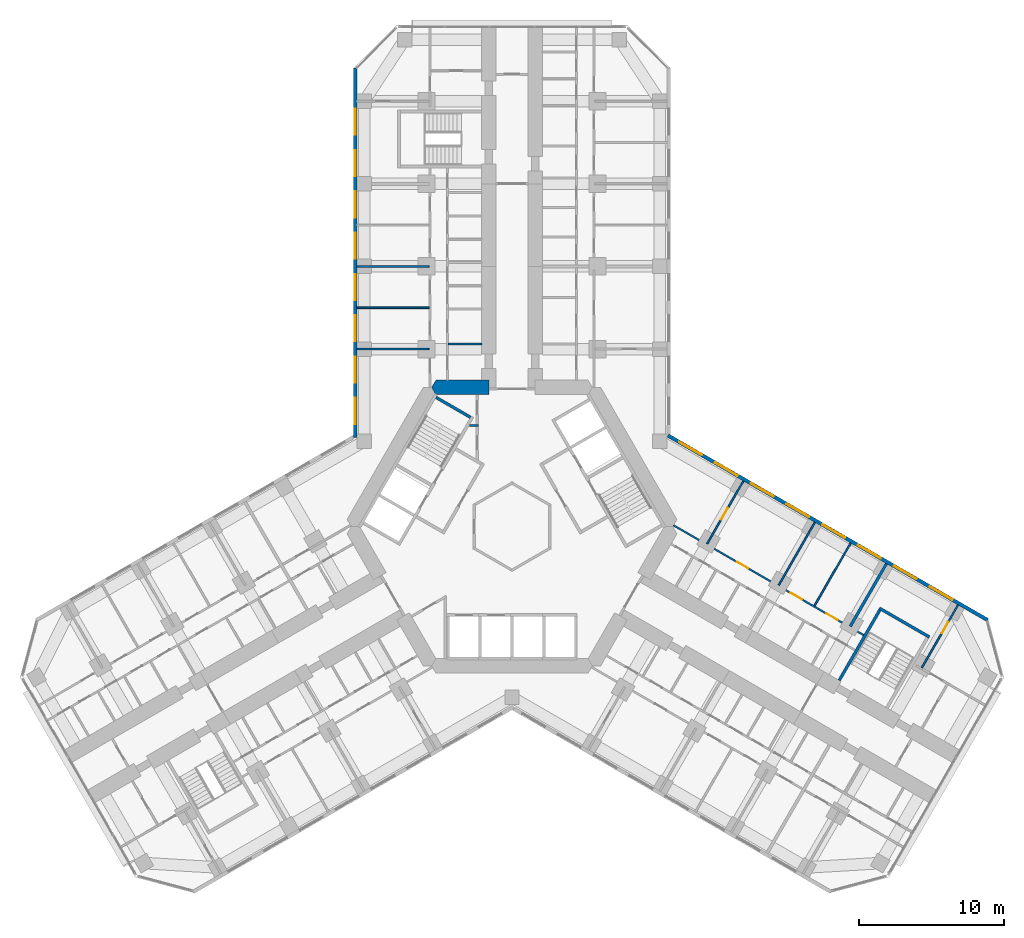
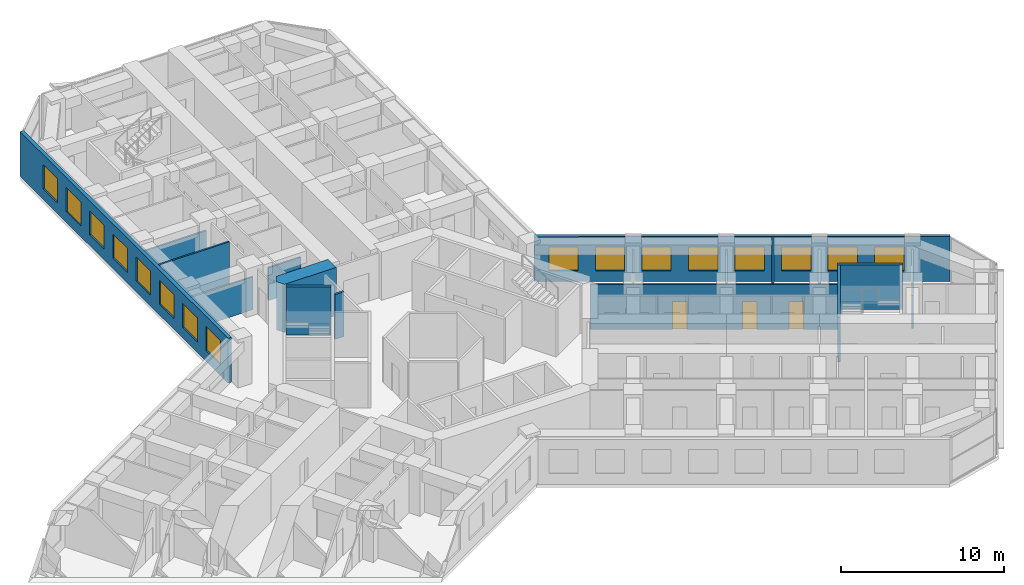
# One storey, part 16 of 21: 17 walls, 16 windows, 5 doors, 21 openings.
"""IFC4 building model written with IfcOpenShell, lengths in metres."""

from ifc_helpers import new_model, si_unit, direction, frame, frame_2d, origin, place, context, subcontext, project, spatial, polyline, rectangle, outline, extrude, material, layer, layer_set, type_object, element, fill, save


model = new_model("IFC4")

# Units and contexts
model_context = context("Model", 3, precision=1e-05, world=origin(), true_north=direction((0.0, 1.0)))
body_context = subcontext(model_context, "Body", "Model", "MODEL_VIEW")
ifc_project = project(units=[si_unit("LENGTHUNIT", "METRE"), si_unit("AREAUNIT", "SQUARE_METRE"), si_unit("VOLUMEUNIT", "CUBIC_METRE"), si_unit("PLANEANGLEUNIT", "RADIAN"), si_unit("MASSUNIT", "GRAM", prefix="KILO")], contexts=[model_context])

# Site, building, storey
site_placement = place(None, origin())
site = spatial("IfcSite", under=ifc_project, at=site_placement, CompositionType="ELEMENT")
building_placement = place(site_placement, origin())
building = spatial("IfcBuilding", under=site, at=building_placement, Name="Kosmar Iwan School Tower", CompositionType="ELEMENT")
storey_placement = place(building_placement, frame((0.0, 0.0, 46.60009765625)))
storey = spatial("IfcBuildingStorey", under=building, at=storey_placement, Name="L10", CompositionType="ELEMENT", Elevation=46.60009765625)

# Walls
ifc_material_1 = material(Name="Gypsum board on steel studs, fire-rated", Category="steel")
ifc_layer_1 = layer(ifc_material_1, 0.14990234375)
ifc_layer_set_1 = layer_set([ifc_layer_1], Name="Core room partition 150")
wall_type_1 = type_object("IfcWallType", Name="Core room partition 150", PredefinedType="PARTITIONING", material=ifc_layer_set_1)
wall_1_placement = place(storey_placement, frame((-2.324951171875, 6.985107421875, 0.0), z_axis=(0.0, 0.0, 1.0), x_axis=(-1.0, 0.0, 0.0)))
element("IfcWall", 1, at=wall_1_placement, inside=storey, type_object=wall_type_1, Name="Core room partition L10-CW2", PredefinedType="PARTITIONING", context=body_context, shape_type="SweptSolid", body=[
    extrude(rectangle(XDim=0.623779296875, YDim=0.14990234375, at=frame_2d((0.31201171875, 0.0))), origin(), (0.0, 0.0, 1.0), 3.349853515625),
])
ifc_material_2 = material(Name="Concrete C50/60", Category="concrete")
ifc_layer_2 = layer(ifc_material_2, 1.0)
ifc_layer_set_2 = layer_set([ifc_layer_2], Name="Core wall 1000")
wall_type_2 = type_object("IfcWallType", Name="Core wall 1000", PredefinedType="SHEAR", material=ifc_layer_set_2)
wall_2_placement = place(storey_placement, origin())
element("IfcWall", 2, at=wall_2_placement, inside=storey, type_object=wall_type_2, Name="Core wall F090b", PredefinedType="SHEAR", context=body_context, shape_type="SweptSolid", body=[
    extrude(outline(polyline([(-5.25390625, 9.10009765625), (-1.60009765625, 9.10009765625), (-1.60009765625, 10.10009765625), (-5.25390625, 10.10009765625), (-5.54248046875, 9.60009765625), (-5.25390625, 9.10009765625)])), origin(), (0.0, 0.0, 1.0), 3.599853515625),
])
ifc_material_3 = material(Name="Gypsum board on steel studs", Category="steel")
ifc_layer_3 = layer(ifc_material_3, 0.1201171875)
ifc_layer_set_3 = layer_set([ifc_layer_3], Name="Dwelling partition 120")
wall_type_3 = type_object("IfcWallType", Name="Dwelling partition 120", PredefinedType="PARTITIONING", material=ifc_layer_set_3)
wall_3_placement = place(storey_placement, frame((-5.7099609375, 12.25, 0.0), z_axis=(0.0, 0.0, 1.0), x_axis=(-1.0, 0.0, 0.0)))
element("IfcWall", 3, at=wall_3_placement, inside=storey, type_object=wall_type_3, Name="Partition L10-AL1-X1", PredefinedType="PARTITIONING", context=body_context, shape_type="SweptSolid", body=[
    extrude(rectangle(XDim=4.989990234375, YDim=0.1201171875, at=frame_2d((2.4951171875, 0.0))), origin(), (0.0, 0.0, 1.0), 2.449951171875),
])
wall_4_placement = place(storey_placement, frame((-5.7099609375, 15.10009765625, 0.0), z_axis=(0.0, 0.0, 1.0), x_axis=(-1.0, 0.0, 0.0)))
element("IfcWall", 4, at=wall_4_placement, inside=storey, type_object=wall_type_3, Name="Partition L10-AL1-X2", PredefinedType="PARTITIONING", context=body_context, shape_type="SweptSolid", body=[
    extrude(rectangle(XDim=4.989990234375, YDim=0.1201171875, at=frame_2d((2.4951171875, 0.0))), origin(), (0.0, 0.0, 1.0), 3.349853515625),
])
wall_5_placement = place(storey_placement, frame((-5.7099609375, 17.949951171875, 0.0), z_axis=(0.0, 0.0, 1.0), x_axis=(-1.0, 0.0, 0.0)))
element("IfcWall", 5, at=wall_5_placement, inside=storey, type_object=wall_type_3, Name="Partition L10-AL1-X3", PredefinedType="PARTITIONING", context=body_context, shape_type="SweptSolid", body=[
    extrude(rectangle(XDim=4.989990234375, YDim=0.1201171875, at=frame_2d((2.4951171875, 0.0))), origin(), (0.0, 0.0, 1.0), 2.449951171875),
])
wall_6_placement = place(storey_placement, frame((-2.10009765625, 12.60009765625, 0.0), z_axis=(0.0, 0.0, 1.0), x_axis=(-1.0, 0.0, 0.0)))
element("IfcWall", 6, at=wall_6_placement, inside=storey, type_object=wall_type_3, Name="Partition L10-AL1-Y1", PredefinedType="PARTITIONING", context=body_context, shape_type="SweptSolid", body=[
    extrude(rectangle(XDim=2.289794921875, YDim=0.1201171875, at=frame_2d((1.14501953125, 0.0))), origin(), (0.0, 0.0, 1.0), 2.449951171875),
])

# Wall, openings, doors
wall_7_placement = place(storey_placement, frame((11.138916015625, 0.093017578125, 0.0), z_axis=(0.0, 0.0, 1.0), x_axis=(0.866024032363, -0.500002375365, 0.0)))
wall_7 = element("IfcWall", 7, at=wall_7_placement, inside=storey, type_object=wall_type_3, Name="Partition L10-CL1-W2", PredefinedType="PARTITIONING", context=body_context, shape_type="SweptSolid", body=[
    extrude(rectangle(XDim=15.14990234375, YDim=0.1201171875, at=frame_2d((7.574951171875, 0.0))), origin(), (0.0, 0.0, 1.0), 3.349853515625),
])
opening_1_placement = place(wall_7_placement, frame((5.050048828125, 0.0, 0.0)))
opening_1 = element("IfcOpeningElement", 8, at=opening_1_placement, cuts=wall_7, Name="Opening D2", PredefinedType="OPENING", context=body_context, shape_type="SweptSolid", body=[
    extrude(rectangle(XDim=0.89990234375, YDim=2.10009765625, at=frame_2d((0.449951171875, 1.050048828125))), frame((0.0, 0.072021484375, 0.0), z_axis=(0.0, -1.0, 0.0), x_axis=(1.0, 0.0, 0.0)), (0.0, 0.0, 1.0), 0.14404296875),
])
opening_2_placement = place(wall_7_placement, frame((9.324951171875, 0.0, 0.0)))
opening_2 = element("IfcOpeningElement", 9, at=opening_2_placement, cuts=wall_7, Name="Opening D2", PredefinedType="OPENING", context=body_context, shape_type="SweptSolid", body=[
    extrude(rectangle(XDim=0.89990234375, YDim=2.10009765625, at=frame_2d((0.449951171875, 1.050048828125))), frame((0.0, 0.072021484375, 0.0), z_axis=(0.0, -1.0, 0.0), x_axis=(1.0, 0.0, 0.0)), (0.0, 0.0, 1.0), 0.14404296875),
])
opening_3_placement = place(wall_7_placement, frame((12.175048828125, 0.0, 0.0)))
opening_3 = element("IfcOpeningElement", 10, at=opening_3_placement, cuts=wall_7, Name="Opening D2", PredefinedType="OPENING", context=body_context, shape_type="SweptSolid", body=[
    extrude(rectangle(XDim=0.89990234375, YDim=2.10009765625, at=frame_2d((0.449951171875, 1.050048828125))), frame((0.0, 0.072021484375, 0.0), z_axis=(0.0, -1.0, 0.0), x_axis=(1.0, 0.0, 0.0)), (0.0, 0.0, 1.0), 0.14404296875),
])
ifc_material_4 = material(Name="Timber door in timber frame", Category="wood")
door_type = type_object("IfcDoorType", Name="Internal door 900x2100", OperationType="SINGLE_SWING_LEFT", PredefinedType="DOOR", material=ifc_material_4)
door_1_placement = place(opening_1_placement, origin())
door_1 = element("IfcDoor", 11, at=door_1_placement, inside=storey, type_object=door_type, Name="Living room door L10-CL1-F2", OperationType="SINGLE_SWING_LEFT", OverallHeight=2.10009765625, OverallWidth=0.89990234375, PredefinedType="DOOR", context=body_context, shape_type="SweptSolid", body=[
    extrude(rectangle(XDim=0.89990234375, YDim=2.10009765625, at=frame_2d((0.449951171875, 1.050048828125))), frame((0.0, 0.02490234375, 0.0), z_axis=(0.0, -1.0, 0.0), x_axis=(1.0, 0.0, 0.0)), (0.0, 0.0, 1.0), 0.050048828125),
])
fill(opening_1, door_1)
door_2_placement = place(opening_2_placement, origin())
door_2 = element("IfcDoor", 12, at=door_2_placement, inside=storey, type_object=door_type, Name="Bedroom 1 door L10-CL1-F3", OperationType="SINGLE_SWING_RIGHT", OverallHeight=2.10009765625, OverallWidth=0.89990234375, PredefinedType="DOOR", context=body_context, shape_type="SweptSolid", body=[
    extrude(rectangle(XDim=0.89990234375, YDim=2.10009765625, at=frame_2d((0.449951171875, 1.050048828125))), frame((0.0, 0.02490234375, 0.0), z_axis=(0.0, -1.0, 0.0), x_axis=(1.0, 0.0, 0.0)), (0.0, 0.0, 1.0), 0.050048828125),
])
fill(opening_2, door_2)
door_3_placement = place(opening_3_placement, origin())
door_3 = element("IfcDoor", 13, at=door_3_placement, inside=storey, type_object=door_type, Name="Study door L10-CL1-F4", OperationType="SINGLE_SWING_LEFT", OverallHeight=2.10009765625, OverallWidth=0.89990234375, PredefinedType="DOOR", context=body_context, shape_type="SweptSolid", body=[
    extrude(rectangle(XDim=0.89990234375, YDim=2.10009765625, at=frame_2d((0.449951171875, 1.050048828125))), frame((0.0, 0.02490234375, 0.0), z_axis=(0.0, -1.0, 0.0), x_axis=(1.0, 0.0, 0.0)), (0.0, 0.0, 1.0), 0.050048828125),
])
fill(opening_3, door_3)

# Wall, opening, door
wall_8_placement = place(storey_placement, frame((13.4638671875, -1.179931640625, 0.0), z_axis=(0.0, 0.0, 1.0), x_axis=(0.499996339024, 0.86602751744, 0.0)))
wall_8 = element("IfcWall", 14, at=wall_8_placement, inside=storey, type_object=wall_type_3, Name="Partition L10-CL1-X1", PredefinedType="PARTITIONING", context=body_context, shape_type="SweptSolid", body=[
    extrude(rectangle(XDim=4.98974609375, YDim=0.1201171875, at=frame_2d((2.494873046875, 0.0))), origin(), (0.0, 0.0, 1.0), 2.449951171875),
])
opening_4_placement = place(wall_8_placement, frame((1.93994140625, 0.0, 0.0)))
opening_4 = element("IfcOpeningElement", 15, at=opening_4_placement, cuts=wall_8, Name="Opening D2", PredefinedType="OPENING", context=body_context, shape_type="SweptSolid", body=[
    extrude(rectangle(XDim=0.89990234375, YDim=2.10009765625, at=frame_2d((0.449951171875, 1.050048828125))), frame((0.0, 0.072021484375, 0.0), z_axis=(0.0, -1.0, 0.0), x_axis=(1.0, 0.0, 0.0)), (0.0, 0.0, 1.0), 0.14404296875),
])
door_4_placement = place(opening_4_placement, origin())
door_4 = element("IfcDoor", 16, at=door_4_placement, inside=storey, type_object=door_type, Name="Kitchen and dining room door L10-CL1-F1", OperationType="SINGLE_SWING_LEFT", OverallHeight=2.10009765625, OverallWidth=0.89990234375, PredefinedType="DOOR", context=body_context, shape_type="SweptSolid", body=[
    extrude(rectangle(XDim=0.89990234375, YDim=2.10009765625, at=frame_2d((0.449951171875, 1.050048828125))), frame((0.0, 0.02490234375, 0.0), z_axis=(0.0, -1.0, 0.0), x_axis=(1.0, 0.0, 0.0)), (0.0, 0.0, 1.0), 0.050048828125),
])
fill(opening_4, door_4)

# Walls
wall_9_placement = place(storey_placement, frame((18.400146484375, -4.030029296875, 0.0), z_axis=(0.0, 0.0, 1.0), x_axis=(0.500011847778, 0.866018563358, 0.0)))
element("IfcWall", 17, at=wall_9_placement, inside=storey, type_object=wall_type_3, Name="Partition L10-CL1-X2", PredefinedType="PARTITIONING", context=body_context, shape_type="SweptSolid", body=[
    extrude(rectangle(XDim=4.990234375, YDim=0.1201171875, at=frame_2d((2.4951171875, 0.0))), origin(), (0.0, 0.0, 1.0), 2.449951171875),
])
wall_10_placement = place(storey_placement, frame((20.868408203125, -5.455078125, 0.0), z_axis=(0.0, 0.0, 1.0), x_axis=(0.499975153383, 0.86603974851, 0.0)))
element("IfcWall", 18, at=wall_10_placement, inside=storey, type_object=wall_type_3, Name="Partition L10-CL1-X3", PredefinedType="PARTITIONING", context=body_context, shape_type="SweptSolid", body=[
    extrude(rectangle(XDim=4.989990234375, YDim=0.1201171875, at=frame_2d((2.4951171875, 0.0))), origin(), (0.0, 0.0, 1.0), 3.349853515625),
])

# Wall, opening, door
wall_11_placement = place(storey_placement, frame((28.27294921875, -9.72998046875, 0.0), z_axis=(0.0, 0.0, 1.0), x_axis=(0.499975153383, 0.86603974851, 0.0)))
wall_11 = element("IfcWall", 19, at=wall_11_placement, inside=storey, type_object=wall_type_3, Name="Partition L10-CL2-TX", PredefinedType="PARTITIONING", context=body_context, shape_type="SweptSolid", body=[
    extrude(rectangle(XDim=4.989990234375, YDim=0.1201171875, at=frame_2d((2.4951171875, 0.0))), origin(), (0.0, 0.0, 1.0), 2.449951171875),
])
opening_5_placement = place(wall_11_placement, frame((2.739990234375, 0.0, 0.0)))
opening_5 = element("IfcOpeningElement", 20, at=opening_5_placement, cuts=wall_11, Name="Opening D2", PredefinedType="OPENING", context=body_context, shape_type="SweptSolid", body=[
    extrude(rectangle(XDim=0.89990234375, YDim=2.10009765625, at=frame_2d((0.449951171875, 1.050048828125))), frame((0.0, 0.072021484375, 0.0), z_axis=(0.0, -1.0, 0.0), x_axis=(1.0, 0.0, 0.0)), (0.0, 0.0, 1.0), 0.14404296875),
])
door_5_placement = place(opening_5_placement, origin())
door_5 = element("IfcDoor", 21, at=door_5_placement, inside=storey, type_object=door_type, Name="Bedroom 1 door L10-CL2-T1", OperationType="SINGLE_SWING_RIGHT", OverallHeight=2.10009765625, OverallWidth=0.89990234375, PredefinedType="DOOR", context=body_context, shape_type="SweptSolid", body=[
    extrude(rectangle(XDim=0.89990234375, YDim=2.10009765625, at=frame_2d((0.449951171875, 1.050048828125))), frame((0.0, 0.02490234375, 0.0), z_axis=(0.0, -1.0, 0.0), x_axis=(1.0, 0.0, 0.0)), (0.0, 0.0, 1.0), 0.050048828125),
])
fill(opening_5, door_5)

# Walls
ifc_material_5 = material(Name="Concrete C35/45", Category="concrete")
ifc_layer_4 = layer(ifc_material_5, 0.199951171875)
ifc_layer_set_4 = layer_set([ifc_layer_4], Name="Escape stair wall 200")
wall_type_4 = type_object("IfcWallType", Name="Escape stair wall 200", PredefinedType="SHEAR", material=ifc_layer_set_4)
wall_12_placement = place(storey_placement, frame((22.57080078125, -10.6064453125, 0.0), z_axis=(0.0, 0.0, 1.0), x_axis=(0.499987231761, 0.866032775405, 0.0)))
element("IfcWall", 22, at=wall_12_placement, inside=storey, type_object=wall_type_4, Name="Stair WS3 wall", PredefinedType="SHEAR", context=body_context, shape_type="SweptSolid", body=[
    extrude(rectangle(XDim=5.800048828125, YDim=0.199951171875, at=frame_2d((2.89990234375, 0.0))), origin(), (0.0, 0.0, 1.0), 3.329833984375),
])
wall_13_placement = place(storey_placement, frame((25.334228515625, -5.6201171875, 0.0), z_axis=(0.0, 0.0, 1.0), x_axis=(0.866026010844, -0.49999894854, 0.0)))
element("IfcWall", 23, at=wall_13_placement, inside=storey, type_object=wall_type_4, Name="Stair WS3 wall", PredefinedType="SHEAR", context=body_context, shape_type="SweptSolid", body=[
    extrude(rectangle(XDim=4.0, YDim=0.199951171875, at=frame_2d((2.0, 0.0))), origin(), (0.0, 0.0, 1.0), 3.329833984375),
])

# Wall, openings, windows
ifc_material_6 = material(Name="Black aluminium rainscreen on insulated framing", Category="aluminium")
ifc_layer_5 = layer(ifc_material_6, 0.25)
ifc_layer_set_5 = layer_set([ifc_layer_5], Name="External wall rainscreen 250")
wall_type_5 = type_object("IfcWallType", Name="External wall rainscreen 250", PredefinedType="SOLIDWALL", material=ifc_layer_set_5)
wall_14_placement = place(storey_placement, frame((10.762451171875, 6.285888671875, 0.0), z_axis=(0.0, 0.0, 1.0), x_axis=(0.866027962024, -0.499995568972, 0.0)))
wall_14 = element("IfcWall", 24, at=wall_14_placement, inside=storey, type_object=wall_type_5, Name="External wall CL L10", PredefinedType="SOLIDWALL", context=body_context, shape_type="SweptSolid", body=[
    extrude(rectangle(XDim=25.457763671875, YDim=0.25, at=frame_2d((12.72900390625, 0.0))), origin(), (0.0, 0.0, 1.0), 3.349853515625),
])
opening_6_placement = place(wall_14_placement, frame((0.8974609375, 0.0, 0.800048828125)))
opening_6 = element("IfcOpeningElement", 25, at=opening_6_placement, cuts=wall_14, Name="Opening W1", PredefinedType="OPENING", context=body_context, shape_type="SweptSolid", body=[
    extrude(rectangle(XDim=1.800048828125, YDim=1.800048828125, at=frame_2d((0.89990234375, 0.89990234375))), frame((0.0, 0.136962890625, 0.0), z_axis=(0.0, -1.0, 0.0), x_axis=(1.0, 0.0, 0.0)), (0.0, 0.0, 1.0), 0.27392578125),
])
opening_7_placement = place(wall_14_placement, frame((3.747314453125, 0.0, 0.800048828125)))
opening_7 = element("IfcOpeningElement", 26, at=opening_7_placement, cuts=wall_14, Name="Opening W1", PredefinedType="OPENING", context=body_context, shape_type="SweptSolid", body=[
    extrude(rectangle(XDim=1.800048828125, YDim=1.800048828125, at=frame_2d((0.89990234375, 0.89990234375))), frame((0.0, 0.136962890625, 0.0), z_axis=(0.0, -1.0, 0.0), x_axis=(1.0, 0.0, 0.0)), (0.0, 0.0, 1.0), 0.27392578125),
])
opening_8_placement = place(wall_14_placement, frame((6.597412109375, 0.0, 0.800048828125)))
opening_8 = element("IfcOpeningElement", 27, at=opening_8_placement, cuts=wall_14, Name="Opening W1", PredefinedType="OPENING", context=body_context, shape_type="SweptSolid", body=[
    extrude(rectangle(XDim=1.800048828125, YDim=1.800048828125, at=frame_2d((0.89990234375, 0.89990234375))), frame((0.0, 0.136962890625, 0.0), z_axis=(0.0, -1.0, 0.0), x_axis=(1.0, 0.0, 0.0)), (0.0, 0.0, 1.0), 0.27392578125),
])
opening_9_placement = place(wall_14_placement, frame((9.447265625, 0.0, 0.800048828125)))
opening_9 = element("IfcOpeningElement", 28, at=opening_9_placement, cuts=wall_14, Name="Opening W1", PredefinedType="OPENING", context=body_context, shape_type="SweptSolid", body=[
    extrude(rectangle(XDim=1.800048828125, YDim=1.800048828125, at=frame_2d((0.89990234375, 0.89990234375))), frame((0.0, 0.136962890625, 0.0), z_axis=(0.0, -1.0, 0.0), x_axis=(1.0, 0.0, 0.0)), (0.0, 0.0, 1.0), 0.27392578125),
])
opening_10_placement = place(wall_14_placement, frame((12.29736328125, 0.0, 0.800048828125)))
opening_10 = element("IfcOpeningElement", 29, at=opening_10_placement, cuts=wall_14, Name="Opening W1", PredefinedType="OPENING", context=body_context, shape_type="SweptSolid", body=[
    extrude(rectangle(XDim=1.800048828125, YDim=1.800048828125, at=frame_2d((0.89990234375, 0.89990234375))), frame((0.0, 0.136962890625, 0.0), z_axis=(0.0, -1.0, 0.0), x_axis=(1.0, 0.0, 0.0)), (0.0, 0.0, 1.0), 0.27392578125),
])
opening_11_placement = place(wall_14_placement, frame((15.1474609375, 0.0, 0.800048828125)))
opening_11 = element("IfcOpeningElement", 30, at=opening_11_placement, cuts=wall_14, Name="Opening W1", PredefinedType="OPENING", context=body_context, shape_type="SweptSolid", body=[
    extrude(rectangle(XDim=1.800048828125, YDim=1.800048828125, at=frame_2d((0.89990234375, 0.89990234375))), frame((0.0, 0.136962890625, 0.0), z_axis=(0.0, -1.0, 0.0), x_axis=(1.0, 0.0, 0.0)), (0.0, 0.0, 1.0), 0.27392578125),
])
opening_12_placement = place(wall_14_placement, frame((17.997314453125, 0.0, 0.800048828125)))
opening_12 = element("IfcOpeningElement", 31, at=opening_12_placement, cuts=wall_14, Name="Opening W1", PredefinedType="OPENING", context=body_context, shape_type="SweptSolid", body=[
    extrude(rectangle(XDim=1.800048828125, YDim=1.800048828125, at=frame_2d((0.89990234375, 0.89990234375))), frame((0.0, 0.136962890625, 0.0), z_axis=(0.0, -1.0, 0.0), x_axis=(1.0, 0.0, 0.0)), (0.0, 0.0, 1.0), 0.27392578125),
])
opening_13_placement = place(wall_14_placement, frame((20.847412109375, 0.0, 0.800048828125)))
opening_13 = element("IfcOpeningElement", 32, at=opening_13_placement, cuts=wall_14, Name="Opening W1", PredefinedType="OPENING", context=body_context, shape_type="SweptSolid", body=[
    extrude(rectangle(XDim=1.800048828125, YDim=1.800048828125, at=frame_2d((0.89990234375, 0.89990234375))), frame((0.0, 0.136962890625, 0.0), z_axis=(0.0, -1.0, 0.0), x_axis=(1.0, 0.0, 0.0)), (0.0, 0.0, 1.0), 0.27392578125),
])
ifc_material_7 = material(Name="Black aluminium frame with dark triple glazing", Category="aluminium")
window_type = type_object("IfcWindowType", Name="Window 1800x1800", PartitioningType="SINGLE_PANEL", PredefinedType="WINDOW", material=ifc_material_7)
window_1_placement = place(opening_6_placement, origin())
window_1 = element("IfcWindow", 33, at=window_1_placement, inside=storey, type_object=window_type, Name="Window CL L10 -1", OverallHeight=1.800048828125, OverallWidth=1.800048828125, PartitioningType="SINGLE_PANEL", PredefinedType="WINDOW", context=body_context, shape_type="SweptSolid", body=[
    extrude(rectangle(XDim=1.800048828125, YDim=1.800048828125, at=frame_2d((0.89990234375, 0.89990234375))), frame((0.0, 0.030029296875, 0.0), z_axis=(0.0, -1.0, 0.0), x_axis=(1.0, 0.0, 0.0)), (0.0, 0.0, 1.0), 0.06005859375),
])
fill(opening_6, window_1)
window_2_placement = place(opening_7_placement, origin())
window_2 = element("IfcWindow", 34, at=window_2_placement, inside=storey, type_object=window_type, Name="Window CL L10 0", OverallHeight=1.800048828125, OverallWidth=1.800048828125, PartitioningType="SINGLE_PANEL", PredefinedType="WINDOW", context=body_context, shape_type="SweptSolid", body=[
    extrude(rectangle(XDim=1.800048828125, YDim=1.800048828125, at=frame_2d((0.89990234375, 0.89990234375))), frame((0.0, 0.030029296875, 0.0), z_axis=(0.0, -1.0, 0.0), x_axis=(1.0, 0.0, 0.0)), (0.0, 0.0, 1.0), 0.06005859375),
])
fill(opening_7, window_2)
window_3_placement = place(opening_8_placement, origin())
window_3 = element("IfcWindow", 35, at=window_3_placement, inside=storey, type_object=window_type, Name="Window CL L10 1", OverallHeight=1.800048828125, OverallWidth=1.800048828125, PartitioningType="SINGLE_PANEL", PredefinedType="WINDOW", context=body_context, shape_type="SweptSolid", body=[
    extrude(rectangle(XDim=1.800048828125, YDim=1.800048828125, at=frame_2d((0.89990234375, 0.89990234375))), frame((0.0, 0.030029296875, 0.0), z_axis=(0.0, -1.0, 0.0), x_axis=(1.0, 0.0, 0.0)), (0.0, 0.0, 1.0), 0.06005859375),
])
fill(opening_8, window_3)
window_4_placement = place(opening_9_placement, origin())
window_4 = element("IfcWindow", 36, at=window_4_placement, inside=storey, type_object=window_type, Name="Window CL L10 2", OverallHeight=1.800048828125, OverallWidth=1.800048828125, PartitioningType="SINGLE_PANEL", PredefinedType="WINDOW", context=body_context, shape_type="SweptSolid", body=[
    extrude(rectangle(XDim=1.800048828125, YDim=1.800048828125, at=frame_2d((0.89990234375, 0.89990234375))), frame((0.0, 0.030029296875, 0.0), z_axis=(0.0, -1.0, 0.0), x_axis=(1.0, 0.0, 0.0)), (0.0, 0.0, 1.0), 0.06005859375),
])
fill(opening_9, window_4)
window_5_placement = place(opening_10_placement, origin())
window_5 = element("IfcWindow", 37, at=window_5_placement, inside=storey, type_object=window_type, Name="Window CL L10 3", OverallHeight=1.800048828125, OverallWidth=1.800048828125, PartitioningType="SINGLE_PANEL", PredefinedType="WINDOW", context=body_context, shape_type="SweptSolid", body=[
    extrude(rectangle(XDim=1.800048828125, YDim=1.800048828125, at=frame_2d((0.89990234375, 0.89990234375))), frame((0.0, 0.030029296875, 0.0), z_axis=(0.0, -1.0, 0.0), x_axis=(1.0, 0.0, 0.0)), (0.0, 0.0, 1.0), 0.06005859375),
])
fill(opening_10, window_5)
window_6_placement = place(opening_11_placement, origin())
window_6 = element("IfcWindow", 38, at=window_6_placement, inside=storey, type_object=window_type, Name="Window CL L10 4", OverallHeight=1.800048828125, OverallWidth=1.800048828125, PartitioningType="SINGLE_PANEL", PredefinedType="WINDOW", context=body_context, shape_type="SweptSolid", body=[
    extrude(rectangle(XDim=1.800048828125, YDim=1.800048828125, at=frame_2d((0.89990234375, 0.89990234375))), frame((0.0, 0.030029296875, 0.0), z_axis=(0.0, -1.0, 0.0), x_axis=(1.0, 0.0, 0.0)), (0.0, 0.0, 1.0), 0.06005859375),
])
fill(opening_11, window_6)
window_7_placement = place(opening_12_placement, origin())
window_7 = element("IfcWindow", 39, at=window_7_placement, inside=storey, type_object=window_type, Name="Window CL L10 5", OverallHeight=1.800048828125, OverallWidth=1.800048828125, PartitioningType="SINGLE_PANEL", PredefinedType="WINDOW", context=body_context, shape_type="SweptSolid", body=[
    extrude(rectangle(XDim=1.800048828125, YDim=1.800048828125, at=frame_2d((0.89990234375, 0.89990234375))), frame((0.0, 0.030029296875, 0.0), z_axis=(0.0, -1.0, 0.0), x_axis=(1.0, 0.0, 0.0)), (0.0, 0.0, 1.0), 0.06005859375),
])
fill(opening_12, window_7)
window_8_placement = place(opening_13_placement, origin())
window_8 = element("IfcWindow", 40, at=window_8_placement, inside=storey, type_object=window_type, Name="Window CL L10 6", OverallHeight=1.800048828125, OverallWidth=1.800048828125, PartitioningType="SINGLE_PANEL", PredefinedType="WINDOW", context=body_context, shape_type="SweptSolid", body=[
    extrude(rectangle(XDim=1.800048828125, YDim=1.800048828125, at=frame_2d((0.89990234375, 0.89990234375))), frame((0.0, 0.030029296875, 0.0), z_axis=(0.0, -1.0, 0.0), x_axis=(1.0, 0.0, 0.0)), (0.0, 0.0, 1.0), 0.06005859375),
])
fill(opening_13, window_8)

wall_15_placement = place(storey_placement, frame((-10.824951171875, 6.14794921875, 0.0), z_axis=(0.0, 0.0, 1.0), x_axis=(0.0, 1.0, 0.0)))
wall_15 = element("IfcWall", 41, at=wall_15_placement, inside=storey, type_object=wall_type_5, Name="External wall AL L10", PredefinedType="SOLIDWALL", context=body_context, shape_type="SweptSolid", body=[
    extrude(rectangle(XDim=25.4873046875, YDim=0.25, at=frame_2d((12.74365234375, 0.0))), origin(), (0.0, 0.0, 1.0), 3.349853515625),
])
opening_14_placement = place(wall_15_placement, frame((0.927001953125, 0.0, 0.800048828125)))
opening_14 = element("IfcOpeningElement", 42, at=opening_14_placement, cuts=wall_15, Name="Opening W1", PredefinedType="OPENING", context=body_context, shape_type="SweptSolid", body=[
    extrude(rectangle(XDim=1.800048828125, YDim=1.800048828125, at=frame_2d((0.89990234375, 0.89990234375))), frame((0.0, 0.136962890625, 0.0), z_axis=(0.0, -1.0, 0.0), x_axis=(1.0, 0.0, 0.0)), (0.0, 0.0, 1.0), 0.27392578125),
])
opening_15_placement = place(wall_15_placement, frame((3.777099609375, 0.0, 0.800048828125)))
opening_15 = element("IfcOpeningElement", 43, at=opening_15_placement, cuts=wall_15, Name="Opening W1", PredefinedType="OPENING", context=body_context, shape_type="SweptSolid", body=[
    extrude(rectangle(XDim=1.800048828125, YDim=1.800048828125, at=frame_2d((0.89990234375, 0.89990234375))), frame((0.0, 0.136962890625, 0.0), z_axis=(0.0, -1.0, 0.0), x_axis=(1.0, 0.0, 0.0)), (0.0, 0.0, 1.0), 0.27392578125),
])
opening_16_placement = place(wall_15_placement, frame((6.626953125, 0.0, 0.800048828125)))
opening_16 = element("IfcOpeningElement", 44, at=opening_16_placement, cuts=wall_15, Name="Opening W1", PredefinedType="OPENING", context=body_context, shape_type="SweptSolid", body=[
    extrude(rectangle(XDim=1.800048828125, YDim=1.800048828125, at=frame_2d((0.89990234375, 0.89990234375))), frame((0.0, 0.136962890625, 0.0), z_axis=(0.0, -1.0, 0.0), x_axis=(1.0, 0.0, 0.0)), (0.0, 0.0, 1.0), 0.27392578125),
])
opening_17_placement = place(wall_15_placement, frame((9.47705078125, 0.0, 0.800048828125)))
opening_17 = element("IfcOpeningElement", 45, at=opening_17_placement, cuts=wall_15, Name="Opening W1", PredefinedType="OPENING", context=body_context, shape_type="SweptSolid", body=[
    extrude(rectangle(XDim=1.800048828125, YDim=1.800048828125, at=frame_2d((0.89990234375, 0.89990234375))), frame((0.0, 0.136962890625, 0.0), z_axis=(0.0, -1.0, 0.0), x_axis=(1.0, 0.0, 0.0)), (0.0, 0.0, 1.0), 0.27392578125),
])
opening_18_placement = place(wall_15_placement, frame((12.326904296875, 0.0, 0.800048828125)))
opening_18 = element("IfcOpeningElement", 46, at=opening_18_placement, cuts=wall_15, Name="Opening W1", PredefinedType="OPENING", context=body_context, shape_type="SweptSolid", body=[
    extrude(rectangle(XDim=1.800048828125, YDim=1.800048828125, at=frame_2d((0.89990234375, 0.89990234375))), frame((0.0, 0.136962890625, 0.0), z_axis=(0.0, -1.0, 0.0), x_axis=(1.0, 0.0, 0.0)), (0.0, 0.0, 1.0), 0.27392578125),
])
opening_19_placement = place(wall_15_placement, frame((15.177001953125, 0.0, 0.800048828125)))
opening_19 = element("IfcOpeningElement", 47, at=opening_19_placement, cuts=wall_15, Name="Opening W1", PredefinedType="OPENING", context=body_context, shape_type="SweptSolid", body=[
    extrude(rectangle(XDim=1.800048828125, YDim=1.800048828125, at=frame_2d((0.89990234375, 0.89990234375))), frame((0.0, 0.136962890625, 0.0), z_axis=(0.0, -1.0, 0.0), x_axis=(1.0, 0.0, 0.0)), (0.0, 0.0, 1.0), 0.27392578125),
])
opening_20_placement = place(wall_15_placement, frame((18.027099609375, 0.0, 0.800048828125)))
opening_20 = element("IfcOpeningElement", 48, at=opening_20_placement, cuts=wall_15, Name="Opening W1", PredefinedType="OPENING", context=body_context, shape_type="SweptSolid", body=[
    extrude(rectangle(XDim=1.800048828125, YDim=1.800048828125, at=frame_2d((0.89990234375, 0.89990234375))), frame((0.0, 0.136962890625, 0.0), z_axis=(0.0, -1.0, 0.0), x_axis=(1.0, 0.0, 0.0)), (0.0, 0.0, 1.0), 0.27392578125),
])
opening_21_placement = place(wall_15_placement, frame((20.876953125, 0.0, 0.800048828125)))
opening_21 = element("IfcOpeningElement", 49, at=opening_21_placement, cuts=wall_15, Name="Opening W1", PredefinedType="OPENING", context=body_context, shape_type="SweptSolid", body=[
    extrude(rectangle(XDim=1.800048828125, YDim=1.800048828125, at=frame_2d((0.89990234375, 0.89990234375))), frame((0.0, 0.136962890625, 0.0), z_axis=(0.0, -1.0, 0.0), x_axis=(1.0, 0.0, 0.0)), (0.0, 0.0, 1.0), 0.27392578125),
])
window_9_placement = place(opening_14_placement, origin())
window_9 = element("IfcWindow", 50, at=window_9_placement, inside=storey, type_object=window_type, Name="Window AL L10 -1", OverallHeight=1.800048828125, OverallWidth=1.800048828125, PartitioningType="SINGLE_PANEL", PredefinedType="WINDOW", context=body_context, shape_type="SweptSolid", body=[
    extrude(rectangle(XDim=1.800048828125, YDim=1.800048828125, at=frame_2d((0.89990234375, 0.89990234375))), frame((0.0, 0.030029296875, 0.0), z_axis=(0.0, -1.0, 0.0), x_axis=(1.0, 0.0, 0.0)), (0.0, 0.0, 1.0), 0.06005859375),
])
fill(opening_14, window_9)
window_10_placement = place(opening_15_placement, origin())
window_10 = element("IfcWindow", 51, at=window_10_placement, inside=storey, type_object=window_type, Name="Window AL L10 0", OverallHeight=1.800048828125, OverallWidth=1.800048828125, PartitioningType="SINGLE_PANEL", PredefinedType="WINDOW", context=body_context, shape_type="SweptSolid", body=[
    extrude(rectangle(XDim=1.800048828125, YDim=1.800048828125, at=frame_2d((0.89990234375, 0.89990234375))), frame((0.0, 0.030029296875, 0.0), z_axis=(0.0, -1.0, 0.0), x_axis=(1.0, 0.0, 0.0)), (0.0, 0.0, 1.0), 0.06005859375),
])
fill(opening_15, window_10)
window_11_placement = place(opening_16_placement, origin())
window_11 = element("IfcWindow", 52, at=window_11_placement, inside=storey, type_object=window_type, Name="Window AL L10 1", OverallHeight=1.800048828125, OverallWidth=1.800048828125, PartitioningType="SINGLE_PANEL", PredefinedType="WINDOW", context=body_context, shape_type="SweptSolid", body=[
    extrude(rectangle(XDim=1.800048828125, YDim=1.800048828125, at=frame_2d((0.89990234375, 0.89990234375))), frame((0.0, 0.030029296875, 0.0), z_axis=(0.0, -1.0, 0.0), x_axis=(1.0, 0.0, 0.0)), (0.0, 0.0, 1.0), 0.06005859375),
])
fill(opening_16, window_11)
window_12_placement = place(opening_17_placement, origin())
window_12 = element("IfcWindow", 53, at=window_12_placement, inside=storey, type_object=window_type, Name="Window AL L10 2", OverallHeight=1.800048828125, OverallWidth=1.800048828125, PartitioningType="SINGLE_PANEL", PredefinedType="WINDOW", context=body_context, shape_type="SweptSolid", body=[
    extrude(rectangle(XDim=1.800048828125, YDim=1.800048828125, at=frame_2d((0.89990234375, 0.89990234375))), frame((0.0, 0.030029296875, 0.0), z_axis=(0.0, -1.0, 0.0), x_axis=(1.0, 0.0, 0.0)), (0.0, 0.0, 1.0), 0.06005859375),
])
fill(opening_17, window_12)
window_13_placement = place(opening_18_placement, origin())
window_13 = element("IfcWindow", 54, at=window_13_placement, inside=storey, type_object=window_type, Name="Window AL L10 3", OverallHeight=1.800048828125, OverallWidth=1.800048828125, PartitioningType="SINGLE_PANEL", PredefinedType="WINDOW", context=body_context, shape_type="SweptSolid", body=[
    extrude(rectangle(XDim=1.800048828125, YDim=1.800048828125, at=frame_2d((0.89990234375, 0.89990234375))), frame((0.0, 0.030029296875, 0.0), z_axis=(0.0, -1.0, 0.0), x_axis=(1.0, 0.0, 0.0)), (0.0, 0.0, 1.0), 0.06005859375),
])
fill(opening_18, window_13)
window_14_placement = place(opening_19_placement, origin())
window_14 = element("IfcWindow", 55, at=window_14_placement, inside=storey, type_object=window_type, Name="Window AL L10 4", OverallHeight=1.800048828125, OverallWidth=1.800048828125, PartitioningType="SINGLE_PANEL", PredefinedType="WINDOW", context=body_context, shape_type="SweptSolid", body=[
    extrude(rectangle(XDim=1.800048828125, YDim=1.800048828125, at=frame_2d((0.89990234375, 0.89990234375))), frame((0.0, 0.030029296875, 0.0), z_axis=(0.0, -1.0, 0.0), x_axis=(1.0, 0.0, 0.0)), (0.0, 0.0, 1.0), 0.06005859375),
])
fill(opening_19, window_14)
window_15_placement = place(opening_20_placement, origin())
window_15 = element("IfcWindow", 56, at=window_15_placement, inside=storey, type_object=window_type, Name="Window AL L10 5", OverallHeight=1.800048828125, OverallWidth=1.800048828125, PartitioningType="SINGLE_PANEL", PredefinedType="WINDOW", context=body_context, shape_type="SweptSolid", body=[
    extrude(rectangle(XDim=1.800048828125, YDim=1.800048828125, at=frame_2d((0.89990234375, 0.89990234375))), frame((0.0, 0.030029296875, 0.0), z_axis=(0.0, -1.0, 0.0), x_axis=(1.0, 0.0, 0.0)), (0.0, 0.0, 1.0), 0.06005859375),
])
fill(opening_20, window_15)
window_16_placement = place(opening_21_placement, origin())
window_16 = element("IfcWindow", 57, at=window_16_placement, inside=storey, type_object=window_type, Name="Window AL L10 6", OverallHeight=1.800048828125, OverallWidth=1.800048828125, PartitioningType="SINGLE_PANEL", PredefinedType="WINDOW", context=body_context, shape_type="SweptSolid", body=[
    extrude(rectangle(XDim=1.800048828125, YDim=1.800048828125, at=frame_2d((0.89990234375, 0.89990234375))), frame((0.0, 0.030029296875, 0.0), z_axis=(0.0, -1.0, 0.0), x_axis=(1.0, 0.0, 0.0)), (0.0, 0.0, 1.0), 0.06005859375),
])
fill(opening_21, window_16)

# Walls
ifc_material_8 = material(Name="Concrete block masonry", Category="masonry")
ifc_layer_6 = layer(ifc_material_8, 0.199951171875)
ifc_layer_set_6 = layer_set([ifc_layer_6], Name="Party wall 200")
wall_type_6 = type_object("IfcWallType", Name="Party wall 200", PredefinedType="PARTITIONING", material=ifc_layer_set_6)
wall_16_placement = place(storey_placement, frame((23.33642578125, -6.8798828125, 0.0), z_axis=(0.0, 0.0, 1.0), x_axis=(0.500033033937, 0.866006330792, 0.0)))
element("IfcWall", 58, at=wall_16_placement, inside=storey, type_object=wall_type_6, Name="Partition L10-CL2-TB", PredefinedType="PARTITIONING", context=body_context, shape_type="SweptSolid", body=[
    extrude(rectangle(XDim=4.989990234375, YDim=0.199951171875, at=frame_2d((2.4951171875, 0.0))), origin(), (0.0, 0.0, 1.0), 2.449951171875),
])
ifc_material_9 = material(Name="Concrete C50/60", Category="concrete")
ifc_layer_7 = layer(ifc_material_9, 0.199951171875)
ifc_layer_set_7 = layer_set([ifc_layer_7], Name="Stair enclosure wall 200")
wall_type_7 = type_object("IfcWallType", Name="Stair enclosure wall 200", PredefinedType="SHEAR", material=ifc_layer_set_7)
wall_17_placement = place(storey_placement, frame((-2.862548828125, 7.541748046875, 0.0), z_axis=(0.0, 0.0, 1.0), x_axis=(-0.866027397988, 0.499996545922, 0.0)))
element("IfcWall", 59, at=wall_17_placement, inside=storey, type_object=wall_type_7, Name="Stair ST2 wall", PredefinedType="SHEAR", context=body_context, shape_type="SweptSolid", body=[
    extrude(rectangle(XDim=2.75, YDim=0.199951171875, at=frame_2d((1.375, 0.0))), origin(), (0.0, 0.0, 1.0), 3.599853515625),
])

save(model, "model.ifc")
